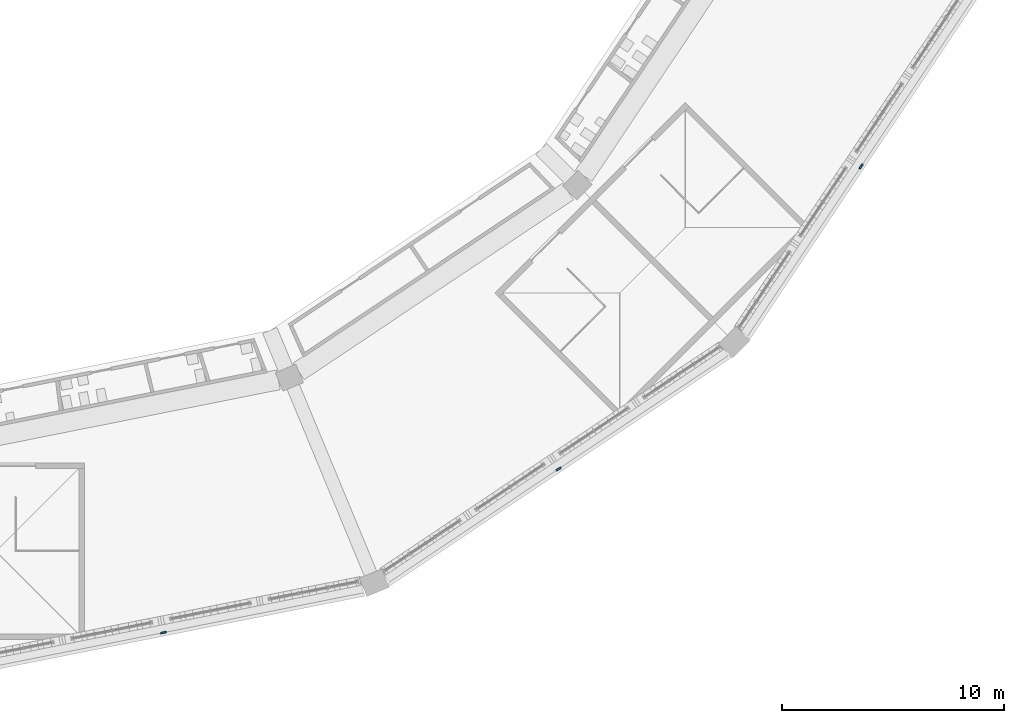
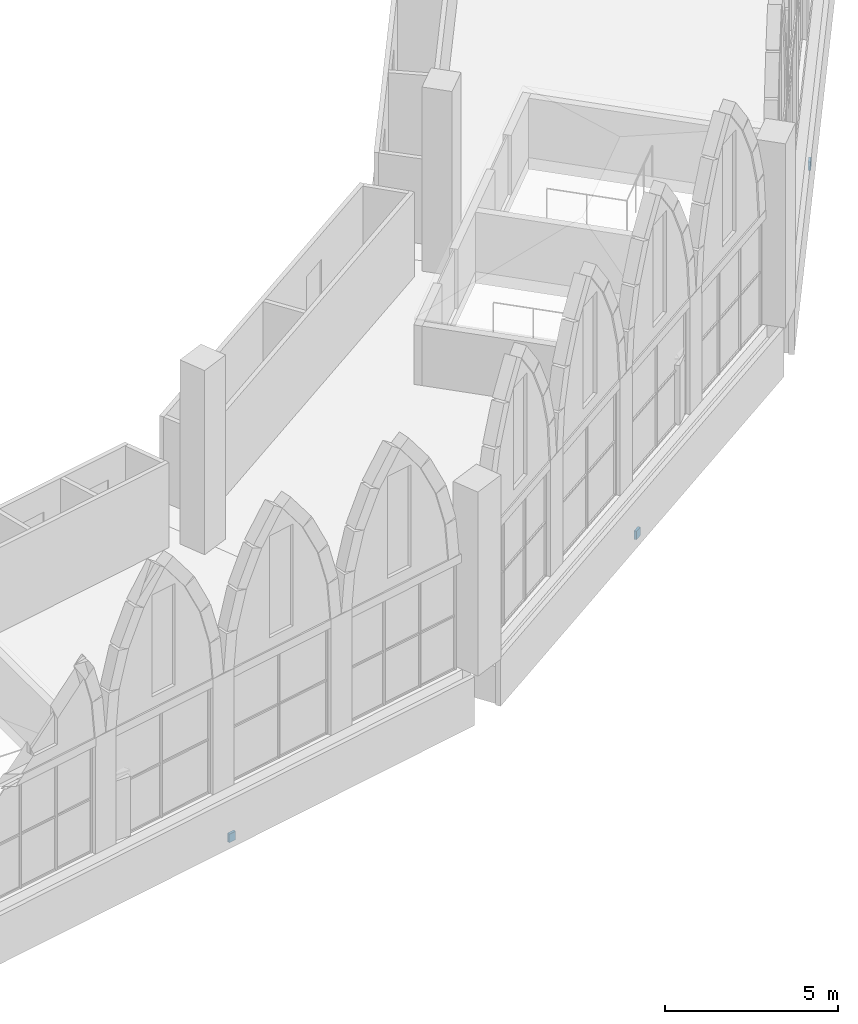
# One storey, part 93 of 130: 3 discrete accessories.
"""IFC4 building model written with IfcOpenShell, lengths in metres."""

from ifc_helpers import new_model, si_unit, direction, frame, origin, origin_2d, place, context, subcontext, project, spatial, rectangle, extrude, material, layer, layer_set, type_object, element, save


model = new_model("IFC4")

# Units and contexts
model_context = context("Model", 3, precision=1e-05, world=origin(), true_north=direction((0.0, 1.0)))
body_context = subcontext(model_context, "Body", "Model", "MODEL_VIEW")
ifc_project = project(units=[si_unit("LENGTHUNIT", "METRE"), si_unit("AREAUNIT", "SQUARE_METRE"), si_unit("VOLUMEUNIT", "CUBIC_METRE"), si_unit("PLANEANGLEUNIT", "RADIAN"), si_unit("MASSUNIT", "GRAM", prefix="KILO")], contexts=[model_context])

# Site, building, storey
site_placement = place(None, origin())
site = spatial("IfcSite", under=ifc_project, at=site_placement, CompositionType="ELEMENT")
building_placement = place(site_placement, origin())
building = spatial("IfcBuilding", under=site, at=building_placement, Name="Ogive Plaza Stadium", CompositionType="ELEMENT")
storey_placement = place(building_placement, frame((0.0, 0.0, 22.5)))
storey = spatial("IfcBuildingStorey", under=building, at=storey_placement, Name="L05", CompositionType="ELEMENT", Elevation=22.5)

# Discrete accessories
ifc_material = material(Name="Steel ASTM A572 Grade 50", Category="steel")
ifc_layer = layer(ifc_material, 0.080078125)
ifc_layer_set = layer_set([ifc_layer], Name="Steel ASTM A572 Grade 50")
discrete_accessory_type = type_object("IfcDiscreteAccessoryType", Name="Spandrel cladding bracket 250x300", PredefinedType="BRACKET", material=ifc_layer_set)
for number, where, z_axis, x_axis, name in (
    (1, (75.065673828125, -79.939208984375, -1.60986328125), (0.0, 0.0, 1.0), (-0.555570233005, -0.831469612312, 0.0), "SPANDREL BRACKET B09 L05"),
    (2, (61.439208984375, -93.565673828125, -1.60986328125), (0.0, 0.0, 1.0), (-0.831469612312, -0.555570233005, 0.0), "SPANDREL BRACKET B10 L05"),
    (3, (43.635498046875, -100.940185546875, -1.60986328125), (0.0, 0.0, 1.0), (-0.980785280403, -0.195090322016, 0.0), "SPANDREL BRACKET B11 L05"),
):
    element("IfcDiscreteAccessory", number, at=place(storey_placement, frame(where, z_axis=z_axis, x_axis=x_axis)), inside=storey, type_object=discrete_accessory_type, Name=name, PredefinedType="BRACKET", context=body_context, shape_type="SweptSolid", body=[
        extrude(rectangle(XDim=0.25, YDim=0.080078125, at=origin_2d()), origin(), (0.0, 0.0, 1.0), 0.300048828125),
    ])

save(model, "model.ifc")
